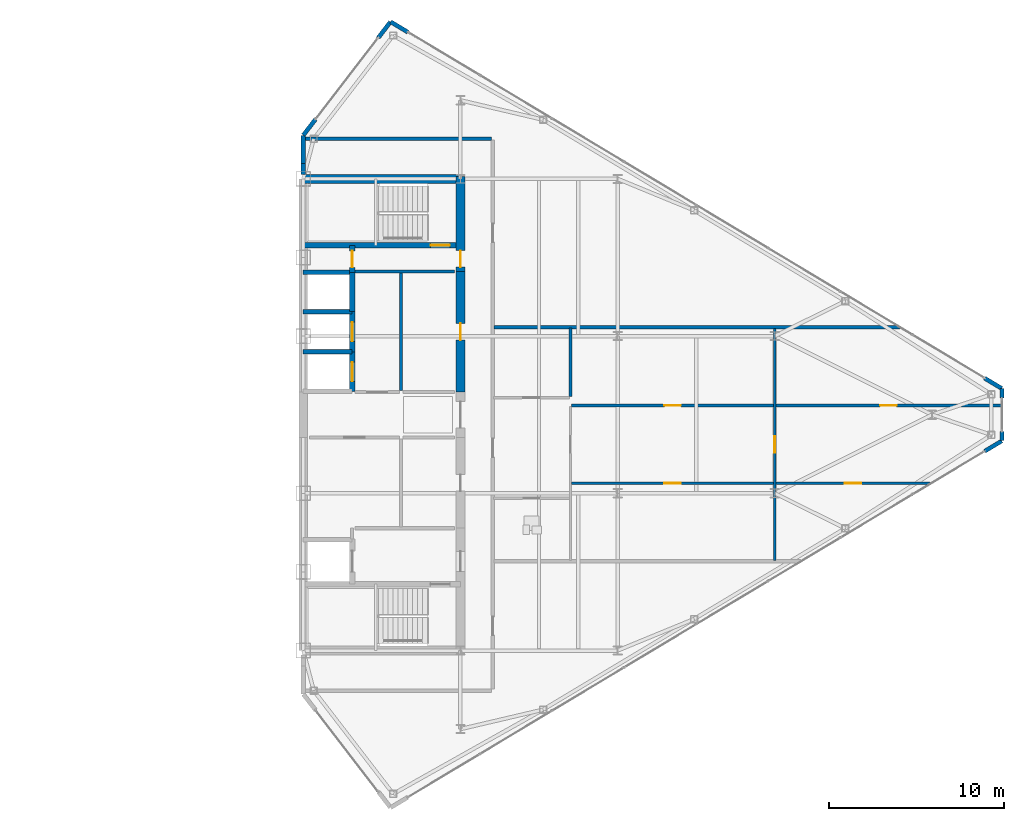
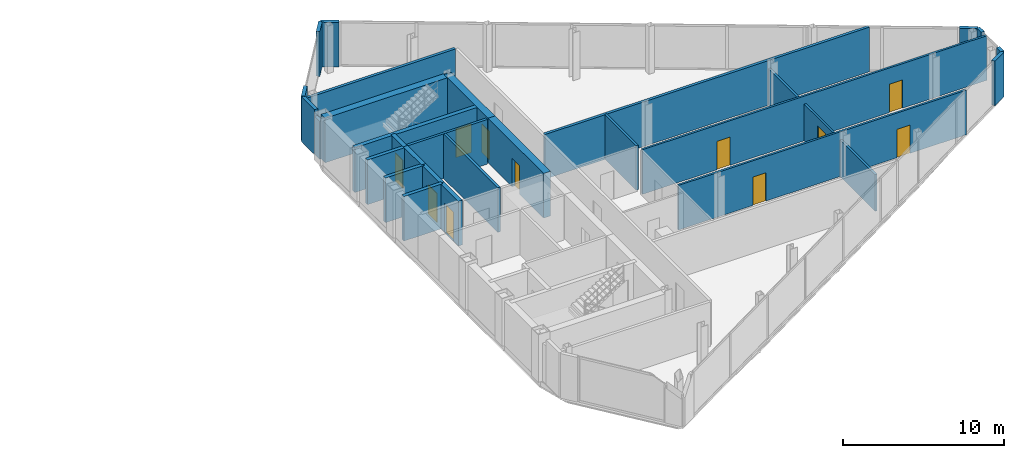
# One storey, part 22 of 25: 28 walls, 11 doors, 11 openings.
"""IFC4 building model written with IfcOpenShell, lengths in metres."""

from ifc_helpers import new_model, si_unit, direction, frame, frame_2d, origin, place, context, subcontext, project, spatial, rectangle, extrude, source, transform, mapped, material, layer, layer_set, type_object, type_shapes, element, fill, save


model = new_model("IFC4")

# Units and contexts
model_context = context("Model", 3, precision=1e-05, world=origin(), true_north=direction((0.0, 1.0)))
body_context = subcontext(model_context, "Body", "Model", "MODEL_VIEW")
ifc_project = project(units=[si_unit("LENGTHUNIT", "METRE"), si_unit("AREAUNIT", "SQUARE_METRE"), si_unit("VOLUMEUNIT", "CUBIC_METRE"), si_unit("PLANEANGLEUNIT", "RADIAN"), si_unit("MASSUNIT", "GRAM", prefix="KILO")], contexts=[model_context])

# Site, building, storey
site_placement = place(None, origin())
site = spatial("IfcSite", under=ifc_project, at=site_placement, CompositionType="ELEMENT")
building_placement = place(site_placement, origin())
building = spatial("IfcBuilding", under=site, at=building_placement, Name="Seokmaru Belvedere", CompositionType="ELEMENT")
storey_placement = place(building_placement, frame((0.0, 0.0, 213.89990234375)))
storey = spatial("IfcBuildingStorey", under=building, at=storey_placement, Name="L57", CompositionType="ELEMENT", Elevation=213.89990234375)

# Wall, openings, doors
ifc_material_1 = material(Name="Fire-Rated Gypsum Shaftwall")
ifc_layer_1 = layer(ifc_material_1, 0.14990234375)
ifc_layer_set_1 = layer_set([ifc_layer_1], Name="Fire-Rated Gypsum Shaftwall")
wall_type_1 = type_object("IfcWallType", Name="Apartment Fire-Acoustic Room Partition 150", PredefinedType="PARTITIONING", material=ifc_layer_set_1)
wall_1_placement = place(storey_placement, frame((42.85009765625, -3.929931640625, 0.0), z_axis=(0.0, 0.0, 1.0), x_axis=(1.0, 0.0, 0.0)))
wall_1 = element("IfcWall", 1, at=wall_1_placement, inside=storey, type_object=wall_type_1, Name="L57 Interior Partition 006", PredefinedType="PARTITIONING", context=body_context, shape_type="SweptSolid", body=[
    extrude(rectangle(XDim=20.6298828125, YDim=0.14990234375, at=frame_2d((10.31494140625, 0.0))), origin(), (0.0, 0.0, 1.0), 3.380126953125),
])
opening_1_placement = place(wall_1_placement, frame((5.324951171875, 0.0, 0.0)))
opening_1 = element("IfcOpeningElement", 2, at=opening_1_placement, cuts=wall_1, Name="Opening D05", PredefinedType="OPENING", context=body_context, shape_type="SweptSolid", body=[
    extrude(rectangle(XDim=0.949951171875, YDim=2.14990234375, at=frame_2d((0.47509765625, 1.074951171875))), frame((0.0, 0.0849609375, 0.0), z_axis=(0.0, -1.0, 0.0), x_axis=(1.0, 0.0, 0.0)), (0.0, 0.0, 1.0), 0.169921875),
])
opening_2_placement = place(wall_1_placement, frame((15.647216796875, 0.0, 0.0)))
opening_2 = element("IfcOpeningElement", 3, at=opening_2_placement, cuts=wall_1, Name="Opening D05", PredefinedType="OPENING", context=body_context, shape_type="SweptSolid", body=[
    extrude(rectangle(XDim=0.949951171875, YDim=2.14990234375, at=frame_2d((0.47509765625, 1.074951171875))), frame((0.0, 0.0849609375, 0.0), z_axis=(0.0, -1.0, 0.0), x_axis=(1.0, 0.0, 0.0)), (0.0, 0.0, 1.0), 0.169921875),
])
ifc_material_2 = material(Name="Engineered White Oak Timber", Category="wood")
door_type_1 = type_object("IfcDoorType", Name="Apartment Interior Fire-Rated Oak Door 950x2150", OperationType="NOTDEFINED", PredefinedType="DOOR", material=ifc_material_2)
shared_shape_1 = source(origin(), body_context, "Body", "SweptSolid", [
    extrude(rectangle(XDim=0.949951171875, YDim=2.14990234375, at=frame_2d((0.47509765625, 1.074951171875))), frame((0.0, 0.02490234375, 0.0), z_axis=(0.0, -1.0, 0.0), x_axis=(1.0, 0.0, 0.0)), (0.0, 0.0, 1.0), 0.050048828125),
])
type_shapes(door_type_1, [shared_shape_1])
door_1_placement = place(opening_1_placement, origin())
door_1 = element("IfcDoor", 4, at=door_1_placement, inside=storey, type_object=door_type_1, Name="L57 Interior Door 023", OperationType="SINGLE_SWING_RIGHT", OverallHeight=2.14990234375, OverallWidth=0.949951171875, PredefinedType="DOOR", context=body_context, shape_type="MappedRepresentation", body=[
    mapped(shared_shape_1, transform((0.0, 0.0, 0.0), scale=1.0)),
])
fill(opening_1, door_1)
door_2_placement = place(opening_2_placement, origin())
door_2 = element("IfcDoor", 5, at=door_2_placement, inside=storey, type_object=door_type_1, Name="L57 Interior Door 025", OperationType="SINGLE_SWING_LEFT", OverallHeight=2.14990234375, OverallWidth=0.949951171875, PredefinedType="DOOR", context=body_context, shape_type="MappedRepresentation", body=[
    mapped(shared_shape_1, transform((0.0, 0.0, 0.0), scale=1.0)),
])
fill(opening_2, door_2)

wall_2_placement = place(storey_placement, frame((42.85009765625, 0.530029296875, 0.0), z_axis=(0.0, 0.0, 1.0), x_axis=(1.0, 0.0, 0.0)))
wall_2 = element("IfcWall", 6, at=wall_2_placement, inside=storey, type_object=wall_type_1, Name="L57 Interior Partition 009", PredefinedType="PARTITIONING", context=body_context, shape_type="SweptSolid", body=[
    extrude(rectangle(XDim=24.684814453125, YDim=0.14990234375, at=frame_2d((12.34228515625, 0.0))), origin(), (0.0, 0.0, 1.0), 3.380126953125),
])
opening_3_placement = place(wall_2_placement, frame((5.324951171875, 0.0, 0.0)))
opening_3 = element("IfcOpeningElement", 7, at=opening_3_placement, cuts=wall_2, Name="Opening D05", PredefinedType="OPENING", context=body_context, shape_type="SweptSolid", body=[
    extrude(rectangle(XDim=0.949951171875, YDim=2.14990234375, at=frame_2d((0.47509765625, 1.074951171875))), frame((0.0, 0.0849609375, 0.0), z_axis=(0.0, -1.0, 0.0), x_axis=(1.0, 0.0, 0.0)), (0.0, 0.0, 1.0), 0.169921875),
])
opening_4_placement = place(wall_2_placement, frame((17.675048828125, 0.0, 0.0)))
opening_4 = element("IfcOpeningElement", 8, at=opening_4_placement, cuts=wall_2, Name="Opening D05", PredefinedType="OPENING", context=body_context, shape_type="SweptSolid", body=[
    extrude(rectangle(XDim=0.949951171875, YDim=2.14990234375, at=frame_2d((0.47509765625, 1.074951171875))), frame((0.0, 0.0849609375, 0.0), z_axis=(0.0, -1.0, 0.0), x_axis=(1.0, 0.0, 0.0)), (0.0, 0.0, 1.0), 0.169921875),
])
door_3_placement = place(opening_3_placement, origin())
door_3 = element("IfcDoor", 9, at=door_3_placement, inside=storey, type_object=door_type_1, Name="L57 Interior Door 024", OperationType="SINGLE_SWING_LEFT", OverallHeight=2.14990234375, OverallWidth=0.949951171875, PredefinedType="DOOR", context=body_context, shape_type="MappedRepresentation", body=[
    mapped(shared_shape_1, transform((0.0, 0.0, 0.0), scale=1.0)),
])
fill(opening_3, door_3)
door_4_placement = place(opening_4_placement, origin())
door_4 = element("IfcDoor", 10, at=door_4_placement, inside=storey, type_object=door_type_1, Name="L57 Interior Door 026", OperationType="SINGLE_SWING_LEFT", OverallHeight=2.14990234375, OverallWidth=0.949951171875, PredefinedType="DOOR", context=body_context, shape_type="MappedRepresentation", body=[
    mapped(shared_shape_1, transform((0.0, 0.0, 0.0), scale=1.0)),
])
fill(opening_4, door_4)

# Wall
wall_3_placement = place(storey_placement, frame((42.800048828125, 1.031982421875, 0.0), z_axis=(0.0, 0.0, 1.0), x_axis=(0.0, 1.0, 0.0)))
element("IfcWall", 11, at=wall_3_placement, inside=storey, type_object=wall_type_1, Name="L57 Interior Partition 029", PredefinedType="PARTITIONING", context=body_context, shape_type="SweptSolid", body=[
    extrude(rectangle(XDim=3.91796875, YDim=0.14990234375, at=frame_2d((1.958984375, 0.0))), origin(), (0.0, 0.0, 1.0), 3.380126953125),
])

# Wall, opening, door
wall_4_placement = place(storey_placement, frame((54.5, -8.35009765625, 0.0), z_axis=(0.0, 0.0, 1.0), x_axis=(0.0, 1.0, 0.0)))
wall_4 = element("IfcWall", 12, at=wall_4_placement, inside=storey, type_object=wall_type_1, Name="L57 Interior Partition 030", PredefinedType="PARTITIONING", context=body_context, shape_type="SweptSolid", body=[
    extrude(rectangle(XDim=13.300048828125, YDim=0.14990234375, at=frame_2d((6.64990234375, 0.0))), origin(), (0.0, 0.0, 1.0), 2.780029296875),
])
opening_5_placement = place(wall_4_placement, frame((6.175048828125, 0.0, 0.0)))
opening_5 = element("IfcOpeningElement", 13, at=opening_5_placement, cuts=wall_4, Name="Opening D05", PredefinedType="OPENING", context=body_context, shape_type="SweptSolid", body=[
    extrude(rectangle(XDim=0.949951171875, YDim=2.14990234375, at=frame_2d((0.47509765625, 1.074951171875))), frame((0.0, 0.0849609375, 0.0), z_axis=(0.0, -1.0, 0.0), x_axis=(1.0, 0.0, 0.0)), (0.0, 0.0, 1.0), 0.169921875),
])
door_5_placement = place(opening_5_placement, origin())
door_5 = element("IfcDoor", 14, at=door_5_placement, inside=storey, type_object=door_type_1, Name="L57 Interior Door 022", OperationType="SINGLE_SWING_RIGHT", OverallHeight=2.14990234375, OverallWidth=0.949951171875, PredefinedType="DOOR", context=body_context, shape_type="MappedRepresentation", body=[
    mapped(shared_shape_1, transform((0.0, 0.0, 0.0), scale=1.0)),
])
fill(opening_5, door_5)

# Walls
ifc_layer_2 = layer(ifc_material_1, 0.179931640625)
ifc_layer_set_2 = layer_set([ifc_layer_2], Name="Fire-Rated Gypsum Shaftwall")
wall_type_2 = type_object("IfcWallType", Name="Core Service Fire Partition 180", PredefinedType="PARTITIONING", material=ifc_layer_set_2)
wall_5_placement = place(storey_placement, frame((30.449951171875, 8.199951171875, 0.0), z_axis=(0.0, 0.0, 1.0), x_axis=(1.0, 0.0, 0.0)))
element("IfcWall", 15, at=wall_5_placement, inside=storey, type_object=wall_type_2, Name="L57 East Smokeproof Vestibule Partition", PredefinedType="PARTITIONING", context=body_context, shape_type="SweptSolid", body=[
    extrude(rectangle(XDim=5.699951171875, YDim=0.179931640625, at=frame_2d((2.85009765625, 0.0))), origin(), (0.0, 0.0, 1.0), 3.380126953125),
])
wall_6_placement = place(storey_placement, frame((33.10009765625, 1.3798828125, 0.0), z_axis=(0.0, 0.0, 1.0), x_axis=(0.0, 1.0, 0.0)))
element("IfcWall", 16, at=wall_6_placement, inside=storey, type_object=wall_type_2, Name="L57 East North Core Service Back Wall", PredefinedType="PARTITIONING", context=body_context, shape_type="SweptSolid", body=[
    extrude(rectangle(XDim=6.740234375, YDim=0.179931640625, at=frame_2d((3.3701171875, 0.0))), origin(), (0.0, 0.0, 1.0), 3.380126953125),
])
ifc_material_3 = material(Name="Concrete C50 (50 MPa)", Category="concrete")
ifc_layer_3 = layer(ifc_material_3, 0.25)
ifc_layer_set_3 = layer_set([ifc_layer_3], Name="Concrete C50 (50 MPa)")
wall_type_3 = type_object("IfcWallType", Name="Hoistway Transverse Concrete Divider Wall 250", PredefinedType="SHEAR", material=ifc_layer_set_3)
for number, where, z_axis, x_axis, name in (
    (17, (27.5, 3.60009765625, 0.0), (0.0, 0.0, 1.0), (1.0, 0.0, 0.0), "L57 East Hoistway Divider Core Wall 3"),
    (18, (27.5, 5.89990234375, 0.0), (0.0, 0.0, 1.0), (1.0, 0.0, 0.0), "L57 East Hoistway Divider Core Wall 4"),
    (19, (27.5, 8.14990234375, 0.0), (0.0, 0.0, 1.0), (1.0, 0.0, 0.0), "L57 East Hoistway Divider Core Wall 5"),
):
    element("IfcWall", number, at=place(storey_placement, frame(where, z_axis=z_axis, x_axis=x_axis)), inside=storey, type_object=wall_type_3, Name=name, PredefinedType="SHEAR", context=body_context, shape_type="SweptSolid", body=[
        extrude(rectangle(XDim=2.800048828125, YDim=0.25, at=frame_2d((1.39990234375, 0.0))), origin(), (0.0, 0.0, 1.0), 3.380126953125),
    ])
ifc_layer_4 = layer(ifc_material_1, 0.199951171875)
ifc_layer_set_4 = layer_set([ifc_layer_4], Name="Fire-Rated Gypsum Shaftwall")
wall_type_4 = type_object("IfcWallType", Name="Inter-Tenancy Fire Compartment Partition 200", PredefinedType="PARTITIONING", material=ifc_layer_set_4)
wall_7_placement = place(storey_placement, frame((38.429931640625, 5.0, 0.0), z_axis=(0.0, 0.0, 1.0), x_axis=(1.0, 0.0, 0.0)))
element("IfcWall", 20, at=wall_7_placement, inside=storey, type_object=wall_type_4, Name="L57 Interior Partition 013", PredefinedType="PARTITIONING", context=body_context, shape_type="SweptSolid", body=[
    extrude(rectangle(XDim=23.24609375, YDim=0.199951171875, at=frame_2d((11.623046875, 0.0))), origin(), (0.0, 0.0, 1.0), 3.380126953125),
])
wall_8_placement = place(storey_placement, frame((27.625, 15.800048828125, 0.0), z_axis=(0.0, 0.0, 1.0), x_axis=(1.0, 0.0, 0.0)))
element("IfcWall", 21, at=wall_8_placement, inside=storey, type_object=wall_type_4, Name="L57 Interior Partition 019", PredefinedType="PARTITIONING", context=body_context, shape_type="SweptSolid", body=[
    extrude(rectangle(XDim=10.639892578125, YDim=0.199951171875, at=frame_2d((5.31982421875, 0.0))), origin(), (0.0, 0.0, 1.0), 3.380126953125),
])

# Wall, opening, door
ifc_layer_5 = layer(ifc_material_3, 0.300048828125)
ifc_layer_set_5 = layer_set([ifc_layer_5], Name="Concrete C50 (50 MPa)")
wall_type_5 = type_object("IfcWallType", Name="Internal Core Stair and Hoistway Wall 300", PredefinedType="SHEAR", material=ifc_layer_set_5)
wall_9_placement = place(storey_placement, frame((27.5, 9.699951171875, 0.0), z_axis=(0.0, 0.0, 1.0), x_axis=(1.0, 0.0, 0.0)))
wall_9 = element("IfcWall", 22, at=wall_9_placement, inside=storey, type_object=wall_type_5, Name="L57 East Stair ST-2 Enclosure Wall", PredefinedType="SHEAR", context=body_context, shape_type="SweptSolid", body=[
    extrude(rectangle(XDim=9.0, YDim=0.300048828125, at=frame_2d((4.5, 0.0))), origin(), (0.0, 0.0, 1.0), 3.380126953125),
])
opening_6_placement = place(wall_9_placement, frame((7.300048828125, 0.0, 0.0)))
opening_6 = element("IfcOpeningElement", 23, at=opening_6_placement, cuts=wall_9, Name="Opening D01", PredefinedType="OPENING", context=body_context, shape_type="SweptSolid", body=[
    extrude(rectangle(XDim=1.10009765625, YDim=2.199951171875, at=frame_2d((0.550048828125, 1.10009765625))), frame((0.0, 0.16015625, 0.0), z_axis=(0.0, -1.0, 0.0), x_axis=(1.0, 0.0, 0.0)), (0.0, 0.0, 1.0), 0.320068359375),
])
ifc_material_4 = material(Name="Fire-Rated Steel Leaf", Category="steel")
door_type_2 = type_object("IfcDoorType", Name="Special Escape Stair Smokeproof Fire Door 1100x2200", OperationType="NOTDEFINED", PredefinedType="DOOR", material=ifc_material_4)
shared_shape_2 = source(origin(), body_context, "Body", "SweptSolid", [
    extrude(rectangle(XDim=1.10009765625, YDim=2.199951171875, at=frame_2d((0.550048828125, 1.10009765625))), frame((0.0, 0.02490234375, 0.0), z_axis=(0.0, -1.0, 0.0), x_axis=(1.0, 0.0, 0.0)), (0.0, 0.0, 1.0), 0.050048828125),
])
type_shapes(door_type_2, [shared_shape_2])
door_6_placement = place(opening_6_placement, origin())
door_6 = element("IfcDoor", 24, at=door_6_placement, inside=storey, type_object=door_type_2, Name="L57 East Special Escape Stair ST-2 Door", OperationType="SINGLE_SWING_LEFT", OverallHeight=2.199951171875, OverallWidth=1.10009765625, PredefinedType="DOOR", context=body_context, shape_type="MappedRepresentation", body=[
    mapped(shared_shape_2, transform((0.0, 0.0, 0.0), scale=1.0)),
])
fill(opening_6, door_6)

wall_10_placement = place(storey_placement, frame((30.300048828125, 1.320068359375, 0.0), z_axis=(0.0, 0.0, 1.0), x_axis=(0.0, 1.0, 0.0)))
wall_10 = element("IfcWall", 25, at=wall_10_placement, inside=storey, type_object=wall_type_5, Name="L57 East North Hoistway Wall PH1", PredefinedType="SHEAR", context=body_context, shape_type="SweptSolid", body=[
    extrude(rectangle(XDim=2.280029296875, YDim=0.300048828125, at=frame_2d((1.14013671875, 0.0))), origin(), (0.0, 0.0, 1.0), 3.380126953125),
])
opening_7_placement = place(wall_10_placement, frame((0.590087890625, 0.0, 0.0)))
opening_7 = element("IfcOpeningElement", 26, at=opening_7_placement, cuts=wall_10, Name="Opening LD1", PredefinedType="OPENING", context=body_context, shape_type="SweptSolid", body=[
    extrude(rectangle(XDim=1.10009765625, YDim=2.199951171875, at=frame_2d((0.550048828125, 1.10009765625))), frame((0.0, 0.16015625, 0.0), z_axis=(0.0, -1.0, 0.0), x_axis=(1.0, 0.0, 0.0)), (0.0, 0.0, 1.0), 0.320068359375),
])
ifc_material_5 = material(Name="Stainless Steel 316", Category="steel")
door_type_3 = type_object("IfcDoorType", Name="Passenger Lift Sliding Landing Door 1100x2200", OperationType="DOUBLE_DOOR_SLIDING", PredefinedType="DOOR", material=ifc_material_5)
shared_shape_3 = source(origin(), body_context, "Body", "SweptSolid", [
    extrude(rectangle(XDim=1.10009765625, YDim=2.199951171875, at=frame_2d((0.550048828125, 1.10009765625))), frame((0.0, 0.02490234375, 0.0), z_axis=(0.0, -1.0, 0.0), x_axis=(1.0, 0.0, 0.0)), (0.0, 0.0, 1.0), 0.050048828125),
])
type_shapes(door_type_3, [shared_shape_3])
door_7_placement = place(opening_7_placement, origin())
door_7 = element("IfcDoor", 27, at=door_7_placement, inside=storey, type_object=door_type_3, Name="L57 East High-Rise Lift PH-1 Landing Door", OperationType="DOUBLE_DOOR_SLIDING", OverallHeight=2.199951171875, OverallWidth=1.10009765625, PredefinedType="DOOR", context=body_context, shape_type="MappedRepresentation", body=[
    mapped(shared_shape_3, transform((0.0, 0.0, 0.0), scale=1.0)),
])
fill(opening_7, door_7)

wall_11_placement = place(storey_placement, frame((30.300048828125, 3.60009765625, 0.0), z_axis=(0.0, 0.0, 1.0), x_axis=(0.0, 1.0, 0.0)))
wall_11 = element("IfcWall", 28, at=wall_11_placement, inside=storey, type_object=wall_type_5, Name="L57 East North Hoistway Wall PH2", PredefinedType="SHEAR", context=body_context, shape_type="SweptSolid", body=[
    extrude(rectangle(XDim=2.2998046875, YDim=0.300048828125, at=frame_2d((1.14990234375, 0.0))), origin(), (0.0, 0.0, 1.0), 3.380126953125),
])
opening_8_placement = place(wall_11_placement, frame((0.60009765625, 0.0, 0.0)))
opening_8 = element("IfcOpeningElement", 29, at=opening_8_placement, cuts=wall_11, Name="Opening LD1", PredefinedType="OPENING", context=body_context, shape_type="SweptSolid", body=[
    extrude(rectangle(XDim=1.10009765625, YDim=2.199951171875, at=frame_2d((0.550048828125, 1.10009765625))), frame((0.0, 0.16015625, 0.0), z_axis=(0.0, -1.0, 0.0), x_axis=(1.0, 0.0, 0.0)), (0.0, 0.0, 1.0), 0.320068359375),
])
door_8_placement = place(opening_8_placement, origin())
door_8 = element("IfcDoor", 30, at=door_8_placement, inside=storey, type_object=door_type_3, Name="L57 East High-Rise Lift PH-2 Landing Door", OperationType="DOUBLE_DOOR_SLIDING", OverallHeight=2.199951171875, OverallWidth=1.10009765625, PredefinedType="DOOR", context=body_context, shape_type="MappedRepresentation", body=[
    mapped(shared_shape_3, transform((0.0, 0.0, 0.0), scale=1.0)),
])
fill(opening_8, door_8)

# Wall
wall_12_placement = place(storey_placement, frame((30.300048828125, 5.89990234375, 0.0), z_axis=(0.0, 0.0, 1.0), x_axis=(0.0, 1.0, 0.0)))
element("IfcWall", 31, at=wall_12_placement, inside=storey, type_object=wall_type_5, Name="L57 East North Hoistway Wall OBS", PredefinedType="SHEAR", context=body_context, shape_type="SweptSolid", body=[
    extrude(rectangle(XDim=2.25, YDim=0.300048828125, at=frame_2d((1.125, 0.0))), origin(), (0.0, 0.0, 1.0), 3.380126953125),
])

# Wall, opening, door
wall_13_placement = place(storey_placement, frame((30.300048828125, 8.14990234375, 0.0), z_axis=(0.0, 0.0, 1.0), x_axis=(0.0, 1.0, 0.0)))
wall_13 = element("IfcWall", 32, at=wall_13_placement, inside=storey, type_object=wall_type_5, Name="L57 East Electrical Riser Front Wall", PredefinedType="SHEAR", context=body_context, shape_type="SweptSolid", body=[
    extrude(rectangle(XDim=1.530029296875, YDim=0.300048828125, at=frame_2d((0.76513671875, 0.0))), origin(), (0.0, 0.0, 1.0), 3.380126953125),
])
opening_9_placement = place(wall_13_placement, frame((0.284912109375, 0.0, 0.0)))
opening_9 = element("IfcOpeningElement", 33, at=opening_9_placement, cuts=wall_13, Name="Opening D04", PredefinedType="OPENING", context=body_context, shape_type="SweptSolid", body=[
    extrude(rectangle(XDim=0.949951171875, YDim=2.14990234375, at=frame_2d((0.47509765625, 1.074951171875))), frame((0.0, 0.16015625, 0.0), z_axis=(0.0, -1.0, 0.0), x_axis=(1.0, 0.0, 0.0)), (0.0, 0.0, 1.0), 0.320068359375),
])
door_type_4 = type_object("IfcDoorType", Name="Core Service Room Fire Door 950x2150", OperationType="NOTDEFINED", PredefinedType="DOOR", material=ifc_material_4)
shared_shape_4 = source(origin(), body_context, "Body", "SweptSolid", [
    extrude(rectangle(XDim=0.949951171875, YDim=2.14990234375, at=frame_2d((0.47509765625, 1.074951171875))), frame((0.0, 0.02490234375, 0.0), z_axis=(0.0, -1.0, 0.0), x_axis=(1.0, 0.0, 0.0)), (0.0, 0.0, 1.0), 0.050048828125),
])
type_shapes(door_type_4, [shared_shape_4])
door_9_placement = place(opening_9_placement, origin())
door_9 = element("IfcDoor", 34, at=door_9_placement, inside=storey, type_object=door_type_4, Name="L57 East Electrical Riser Access Door", OperationType="SINGLE_SWING_RIGHT", OverallHeight=2.14990234375, OverallWidth=0.949951171875, PredefinedType="DOOR", context=body_context, shape_type="MappedRepresentation", body=[
    mapped(shared_shape_4, transform((0.0, 0.0, 0.0), scale=1.0)),
])
fill(opening_9, door_9)

# Walls
ifc_material_6 = material(Name="Anodised Bronze Aluminium", Category="aluminium")
ifc_layer_6 = layer(ifc_material_6, 0.239990234375)
ifc_layer_set_6 = layer_set([ifc_layer_6], Name="Anodised Bronze Aluminium")
wall_type_6 = type_object("IfcWallType", Name="Tower Corner Spandrel Closure Wall 240", PredefinedType="SOLIDWALL", material=ifc_layer_set_6)
wall_14_placement = place(storey_placement, frame((66.513916015625, -2.091796875, 0.0), z_axis=(0.0, 0.0, 1.0), x_axis=(0.85743623509, 0.514590228002, 0.0)))
element("IfcWall", 35, at=wall_14_placement, inside=storey, type_object=wall_type_6, Name="L57 E Corner Closure Pier 1B", PredefinedType="SOLIDWALL", context=body_context, shape_type="SweptSolid", body=[
    extrude(rectangle(XDim=1.14013671875, YDim=0.239990234375, at=frame_2d((0.570068359375, 0.0))), origin(), (0.0, 0.0, 1.0), 3.380126953125),
])
for number, where, z_axis, x_axis, name in (
    (36, (67.5, -1.489990234375, 0.0), (0.0, 0.0, 1.0), (0.0, 1.0, 0.0), "L57 E Apex Closure Pier 2A"),
    (37, (67.5, 0.949951171875, 0.0), (0.0, 0.0, 1.0), (0.0, 1.0, 0.0), "L57 E Apex Closure Pier 2B"),
):
    element("IfcWall", number, at=place(storey_placement, frame(where, z_axis=z_axis, x_axis=x_axis)), inside=storey, type_object=wall_type_6, Name=name, PredefinedType="SOLIDWALL", context=body_context, shape_type="SweptSolid", body=[
        extrude(rectangle(XDim=0.5400390625, YDim=0.239990234375, at=frame_2d((0.27001953125, 0.0))), origin(), (0.0, 0.0, 1.0), 3.380126953125),
    ])
for number, where, z_axis, x_axis, name in (
    (38, (67.491455078125, 1.505126953125, 0.0), (0.0, 0.0, 1.0), (-0.85743623509, 0.514590228002, 0.0), "L57 E Corner Closure Pier 3A"),
    (39, (33.486083984375, 21.908203125, 0.0), (0.0, 0.0, 1.0), (-0.85743623509, 0.514590228002, 0.0), "L57 E Corner Closure Pier 3B"),
    (40, (32.493896484375, 22.4921875, 0.0), (0.0, 0.0, 1.0), (-0.609617623633, -0.792695624408, 0.0), "L57 E Corner Closure Pier 4A"),
    (41, (28.201171875, 16.91162109375, 0.0), (0.0, 0.0, 1.0), (-0.609617623633, -0.792695624408, 0.0), "L57 E Corner Closure Pier 4B"),
):
    element("IfcWall", number, at=place(storey_placement, frame(where, z_axis=z_axis, x_axis=x_axis)), inside=storey, type_object=wall_type_6, Name=name, PredefinedType="SOLIDWALL", context=body_context, shape_type="SweptSolid", body=[
        extrude(rectangle(XDim=1.14013671875, YDim=0.239990234375, at=frame_2d((0.570068359375, 0.0))), origin(), (0.0, 0.0, 1.0), 3.380126953125),
    ])
wall_15_placement = place(storey_placement, frame((27.5, 13.7548828125, 0.0), z_axis=(0.0, 0.0, 1.0), x_axis=(0.0, 1.0, 0.0)))
element("IfcWall", 42, at=wall_15_placement, inside=storey, type_object=wall_type_6, Name="L57 E Shoulder Closure Wall 2", PredefinedType="SOLIDWALL", context=body_context, shape_type="SweptSolid", body=[
    extrude(rectangle(XDim=0.619873046875, YDim=0.239990234375, at=frame_2d((0.31005859375, 0.0))), origin(), (0.0, 0.0, 1.0), 2.880126953125),
])
wall_16_placement = place(storey_placement, frame((27.5, 14.374755859375, 0.0), z_axis=(0.0, 0.0, 1.0), x_axis=(0.0, 1.0, 0.0)))
element("IfcWall", 43, at=wall_16_placement, inside=storey, type_object=wall_type_6, Name="L57 E Shoulder Closure Wall 2 Part 2", PredefinedType="SOLIDWALL", context=body_context, shape_type="SweptSolid", body=[
    extrude(rectangle(XDim=1.605224609375, YDim=0.239990234375, at=frame_2d((0.802734375, 0.0))), origin(), (0.0, 0.0, 1.0), 3.380126953125),
])
ifc_layer_7 = layer(ifc_material_3, 0.5)
ifc_layer_set_7 = layer_set([ifc_layer_7], Name="Concrete C50 (50 MPa)")
wall_type_7 = type_object("IfcWallType", Name="Upper Tower Reinforced Concrete Core Wall 500", PredefinedType="SHEAR", material=ifc_layer_set_7)
wall_17_placement = place(storey_placement, frame((27.5, 13.5, 0.0), z_axis=(0.0, 0.0, 1.0), x_axis=(1.0, 0.0, 0.0)))
element("IfcWall", 44, at=wall_17_placement, inside=storey, type_object=wall_type_7, Name="L57 East North Core Wall", PredefinedType="SHEAR", context=body_context, shape_type="SweptSolid", body=[
    extrude(rectangle(XDim=9.0, YDim=0.5, at=frame_2d((4.5, 0.0))), origin(), (0.0, 0.0, 1.0), 3.380126953125),
])

# Wall, opening, door
wall_18_placement = place(storey_placement, frame((36.5, 8.199951171875, 0.0), z_axis=(0.0, 0.0, 1.0), x_axis=(0.0, 1.0, 0.0)))
wall_18 = element("IfcWall", 45, at=wall_18_placement, inside=storey, type_object=wall_type_7, Name="L57 East West Core Wall VST", PredefinedType="SHEAR", context=body_context, shape_type="SweptSolid", body=[
    extrude(rectangle(XDim=5.449951171875, YDim=0.5, at=frame_2d((2.72509765625, 0.0))), origin(), (0.0, 0.0, 1.0), 3.380126953125),
])
opening_10_placement = place(wall_18_placement, frame((0.2451171875, 0.0, 0.0)))
opening_10 = element("IfcOpeningElement", 46, at=opening_10_placement, cuts=wall_18, Name="Opening D04", PredefinedType="OPENING", context=body_context, shape_type="SweptSolid", body=[
    extrude(rectangle(XDim=0.949951171875, YDim=2.14990234375, at=frame_2d((0.47509765625, 1.074951171875))), frame((0.0, 0.260009765625, 0.0), z_axis=(0.0, -1.0, 0.0), x_axis=(1.0, 0.0, 0.0)), (0.0, 0.0, 1.0), 0.52001953125),
])
door_10_placement = place(opening_10_placement, origin())
door_10 = element("IfcDoor", 47, at=door_10_placement, inside=storey, type_object=door_type_4, Name="L57 East Smokeproof Vestibule Door", OperationType="SINGLE_SWING_LEFT", OverallHeight=2.14990234375, OverallWidth=0.949951171875, PredefinedType="DOOR", context=body_context, shape_type="MappedRepresentation", body=[
    mapped(shared_shape_4, transform((0.0, 0.0, 0.0), scale=1.0)),
])
fill(opening_10, door_10)

wall_19_placement = place(storey_placement, frame((36.5, 1.300048828125, 0.0), z_axis=(0.0, 0.0, 1.0), x_axis=(0.0, 1.0, 0.0)))
wall_19 = element("IfcWall", 48, at=wall_19_placement, inside=storey, type_object=wall_type_7, Name="L57 East West Core Wall CS2", PredefinedType="SHEAR", context=body_context, shape_type="SweptSolid", body=[
    extrude(rectangle(XDim=6.89990234375, YDim=0.5, at=frame_2d((3.449951171875, 0.0))), origin(), (0.0, 0.0, 1.0), 3.380126953125),
])
opening_11_placement = place(wall_19_placement, frame((2.97509765625, 0.0, 0.0)))
opening_11 = element("IfcOpeningElement", 49, at=opening_11_placement, cuts=wall_19, Name="Opening D04", PredefinedType="OPENING", context=body_context, shape_type="SweptSolid", body=[
    extrude(rectangle(XDim=0.949951171875, YDim=2.14990234375, at=frame_2d((0.47509765625, 1.074951171875))), frame((0.0, 0.260009765625, 0.0), z_axis=(0.0, -1.0, 0.0), x_axis=(1.0, 0.0, 0.0)), (0.0, 0.0, 1.0), 0.52001953125),
])
door_11_placement = place(opening_11_placement, origin())
door_11 = element("IfcDoor", 50, at=door_11_placement, inside=storey, type_object=door_type_4, Name="L57 East Core Service Room Door 2", OperationType="SINGLE_SWING_LEFT", OverallHeight=2.14990234375, OverallWidth=0.949951171875, PredefinedType="DOOR", context=body_context, shape_type="MappedRepresentation", body=[
    mapped(shared_shape_4, transform((0.0, 0.0, 0.0), scale=1.0)),
])
fill(opening_11, door_11)

save(model, "model.ifc")
